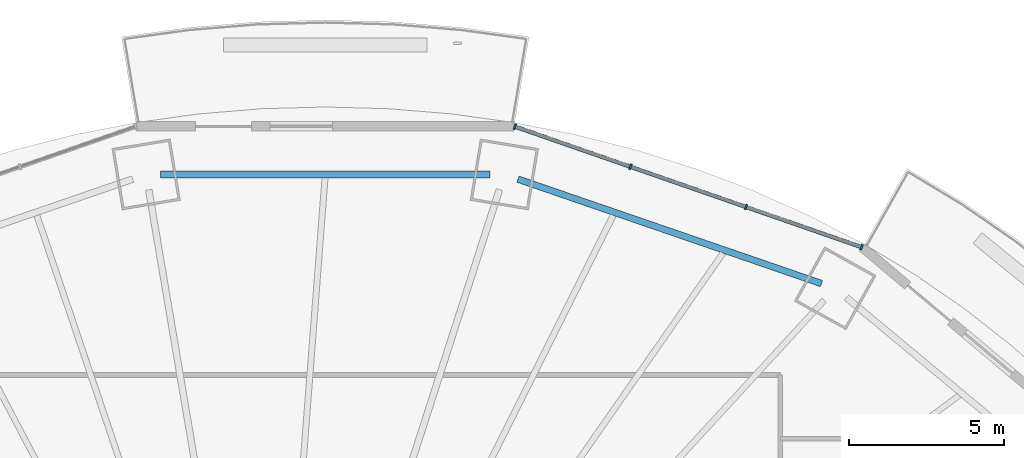
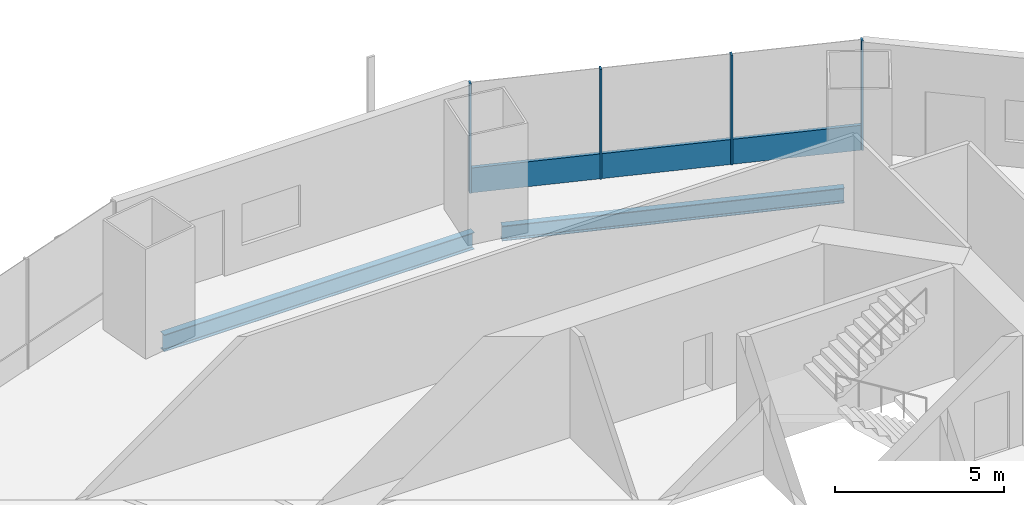
# One storey, part 9 of 20: 5 members, 2 beams, 1 element without a shape of its own.
"""IFC4 building model written with IfcOpenShell, lengths in metres."""

from ifc_helpers import new_model, si_unit, direction, frame, origin, origin_2d, place, context, subcontext, project, spatial, rectangle, i_section, extrude, material, material_profile, profile_set, type_object, element, aggregate, save


model = new_model("IFC4")

# Units and contexts
model_context = context("Model", 3, precision=1e-05, world=origin(), true_north=direction((0.0, 1.0)))
body_context = subcontext(model_context, "Body", "Model", "MODEL_VIEW")
ifc_project = project(units=[si_unit("LENGTHUNIT", "METRE"), si_unit("AREAUNIT", "SQUARE_METRE"), si_unit("VOLUMEUNIT", "CUBIC_METRE"), si_unit("PLANEANGLEUNIT", "RADIAN"), si_unit("MASSUNIT", "GRAM", prefix="KILO")], contexts=[model_context])

# Site, building, storey
site_placement = place(None, origin())
site = spatial("IfcSite", under=ifc_project, at=site_placement, CompositionType="ELEMENT")
building_placement = place(site_placement, origin())
building = spatial("IfcBuilding", under=site, at=building_placement, Name="Marenthal Gate Tower", CompositionType="ELEMENT")
storey_placement = place(building_placement, frame((0.0, 0.0, 210.85009765625)))
storey = spatial("IfcBuildingStorey", under=building, at=storey_placement, Name="L46", CompositionType="ELEMENT", Elevation=210.85009765625)

# Curtain wall, members
ifc_material_1 = material(Name="Aluminium and glass", Category="aluminium")
curtain_wall_type = type_object("IfcCurtainWallType", Name="Curtain wall typical mid", PredefinedType="NOTDEFINED", material=ifc_material_1)
curtain_wall_placement = place(storey_placement, origin())
curtain_wall = element("IfcCurtainWall", 1, at=curtain_wall_placement, inside=storey, type_object=curtain_wall_type, Name="Curtain wall L46 bay 3", PredefinedType="NOTDEFINED")
ifc_material_2 = material(Name="Aluminium", Category="aluminium")
ifc_material_profile_1 = material_profile(ifc_material_2, rectangle(XDim=0.179931640625, YDim=0.06005859375, at=origin_2d()), Name="60x180 aluminium mullion")
ifc_profile_set_1 = profile_set([ifc_material_profile_1], Name="Aluminium")
member_type_1 = type_object("IfcMemberType", Name="Mullion 60x180 typical mid", PredefinedType="MULLION", material=ifc_profile_set_1)
member_1_placement = place(storey_placement, frame((19.066650390625, 21.13623046875, 0.0), z_axis=(0.0, 0.0, 1.0), x_axis=(-0.328400483847, -0.944538576348, 0.0)))
member_1 = element("IfcMember", 2, at=member_1_placement, type_object=member_type_1, Name="Mullion L46 bay 3.1", PredefinedType="MULLION", context=body_context, shape_type="SweptSolid", body=[
    extrude(rectangle(XDim=0.179931640625, YDim=0.06005859375, at=origin_2d()), origin(), (0.0, 0.0, 1.0), 3.969970703125),
])
member_2_placement = place(storey_placement, frame((15.344970703125, 22.43017578125, 0.0), z_axis=(0.0, 0.0, 1.0), x_axis=(-0.328400483847, -0.944538576348, 0.0)))
member_2 = element("IfcMember", 3, at=member_2_placement, type_object=member_type_1, Name="Mullion L46 bay 3.2", PredefinedType="MULLION", context=body_context, shape_type="SweptSolid", body=[
    extrude(rectangle(XDim=0.179931640625, YDim=0.06005859375, at=origin_2d()), origin(), (0.0, 0.0, 1.0), 3.969970703125),
])
member_3_placement = place(storey_placement, frame((11.623291015625, 23.72412109375, 0.0), z_axis=(0.0, 0.0, 1.0), x_axis=(-0.328400483847, -0.944538576348, 0.0)))
member_3 = element("IfcMember", 4, at=member_3_placement, type_object=member_type_1, Name="Mullion L46 bay 3.3", PredefinedType="MULLION", context=body_context, shape_type="SweptSolid", body=[
    extrude(rectangle(XDim=0.179931640625, YDim=0.06005859375, at=origin_2d()), origin(), (0.0, 0.0, 1.0), 3.969970703125),
])
member_4_placement = place(storey_placement, frame((7.901611328125, 25.01806640625, 0.0), z_axis=(0.0, 0.0, 1.0), x_axis=(-0.328400483847, -0.944538576348, 0.0)))
member_4 = element("IfcMember", 5, at=member_4_placement, type_object=member_type_1, Name="Mullion L46 bay 3.4", PredefinedType="MULLION", context=body_context, shape_type="SweptSolid", body=[
    extrude(rectangle(XDim=0.179931640625, YDim=0.06005859375, at=origin_2d()), origin(), (0.0, 0.0, 1.0), 3.969970703125),
])
ifc_material_3 = material(Name="Aluminium", Category="aluminium")
ifc_material_profile_2 = material_profile(ifc_material_3, rectangle(XDim=0.1201171875, YDim=0.89990234375, at=origin_2d()), Name="120x900 aluminium transom")
ifc_profile_set_2 = profile_set([ifc_material_profile_2], Name="Aluminium")
member_type_2 = type_object("IfcMemberType", Name="Transom 120x900 typical mid", PredefinedType="USERDEFINED", material=ifc_profile_set_2)
member_5_placement = place(storey_placement, frame((19.038330078125, 21.14599609375, 0.449951171875), z_axis=(-0.944535997597, 0.328407900703, 0.0), x_axis=(-0.328407900703, -0.944535997597, 0.0)))
member_5 = element("IfcMember", 6, at=member_5_placement, type_object=member_type_2, Name="Transom L46 bay 3", ObjectType="TRANSOM", PredefinedType="USERDEFINED", context=body_context, shape_type="SweptSolid", body=[
    extrude(rectangle(XDim=0.1201171875, YDim=0.89990234375, at=origin_2d()), origin(), (0.0, 0.0, 1.0), 11.7607421875),
])
aggregate(curtain_wall, [member_1, member_2, member_3, member_4, member_5])

# Beams
ifc_material_4 = material(Name="Steel S355", Category="steel")
ifc_material_profile_3 = material_profile(ifc_material_4, i_section(OverallWidth=0.2119140625, OverallDepth=0.5439453125, WebThickness=0.01318359375, FlangeThickness=0.021240234375, FilletRadius=0.0126953125, at=origin_2d()), Name="W530X123")
ifc_profile_set_3 = profile_set([ifc_material_profile_3], Name="Steel S355")
beam_type_1 = type_object("IfcBeamType", Name="W530X123 beam", PredefinedType="BEAM", material=ifc_profile_set_3)
beam_1_placement = place(storey_placement, frame((17.777587890625, 19.9638671875, -0.4521484375), z_axis=(-0.945580359537, 0.325388665534, 0.0), x_axis=(-0.325388665534, -0.945580359537, 0.0)))
element("IfcBeam", 7, at=beam_1_placement, inside=storey, type_object=beam_type_1, Name="BM-L46-43", PredefinedType="BEAM", context=body_context, shape_type="SweptSolid", body=[
    extrude(i_section(OverallWidth=0.2119140625, OverallDepth=0.5439453125, WebThickness=0.01318359375, FlangeThickness=0.021240234375, FilletRadius=0.0126953125, at=origin_2d()), origin(), (0.0, 0.0, 1.0), 10.3369140625),
])
ifc_material_5 = material(Name="Steel S355", Category="steel")
ifc_material_profile_4 = material_profile(ifc_material_5, i_section(OverallWidth=0.22900390625, OverallDepth=0.612060546875, WebThickness=0.011962890625, FlangeThickness=0.01953125, FilletRadius=0.0126953125, at=origin_2d()), Name="W610X125")
ifc_profile_set_4 = profile_set([ifc_material_profile_4], Name="Steel S355")
beam_type_2 = type_object("IfcBeamType", Name="W610X125 beam", PredefinedType="BEAM", material=ifc_profile_set_4)
beam_2_placement = place(storey_placement, frame((7.10205078125, 23.478271484375, -0.486083984375), z_axis=(-1.0, 0.0, 0.0), x_axis=(0.0, -1.0, 0.0)))
element("IfcBeam", 8, at=beam_2_placement, inside=storey, type_object=beam_type_2, Name="BM-L46-44", PredefinedType="BEAM", context=body_context, shape_type="SweptSolid", body=[
    extrude(i_section(OverallWidth=0.22900390625, OverallDepth=0.612060546875, WebThickness=0.011962890625, FlangeThickness=0.01953125, FilletRadius=0.0126953125, at=origin_2d()), origin(), (0.0, 0.0, 1.0), 10.60400390625),
])

save(model, "model.ifc")
